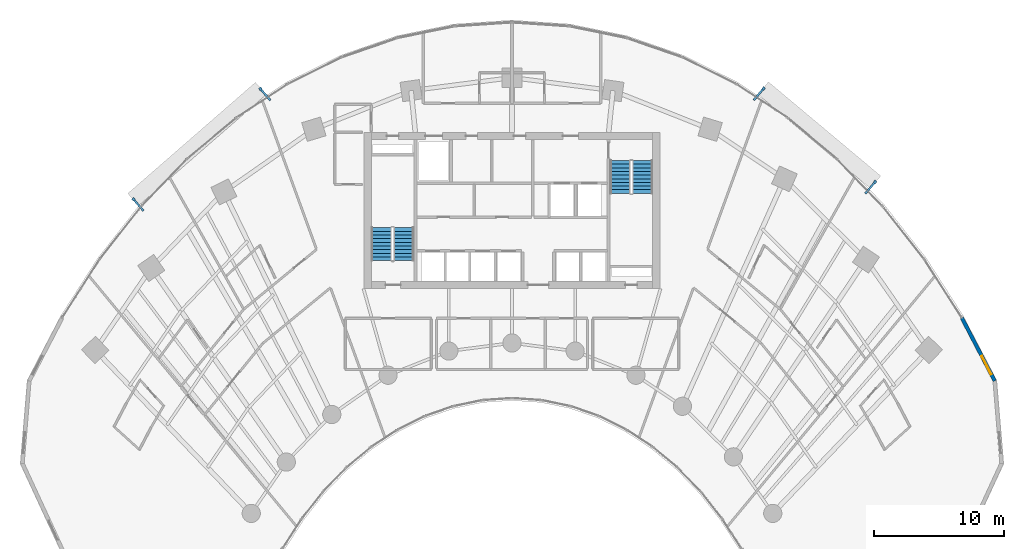
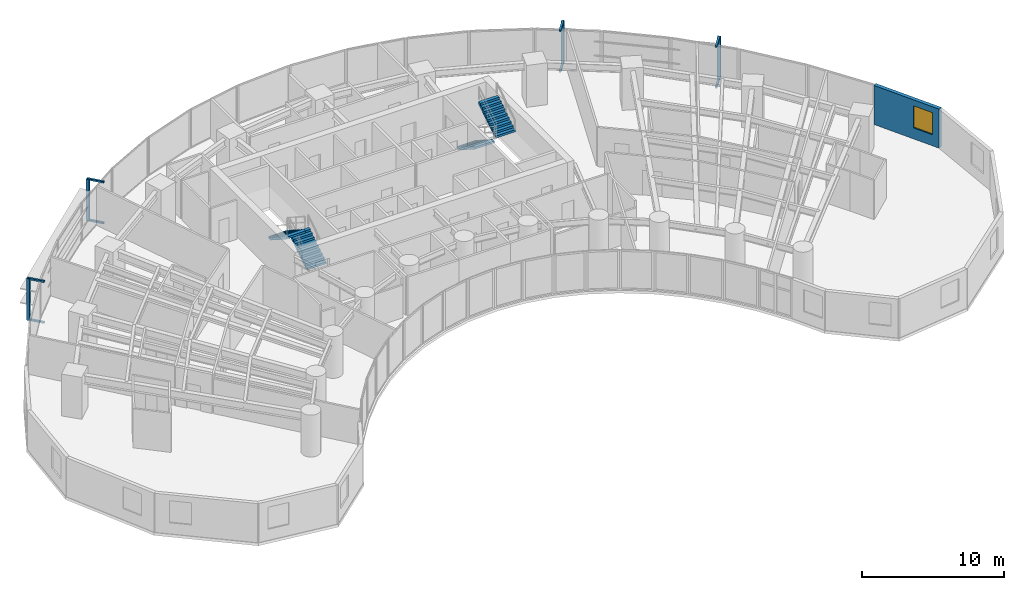
# One storey, part 15 of 17: 12 discrete accessories, 4 stair flights, 1 wall, 1 window, 1 opening, 2 elements without a shape of their own.
"""IFC4 building model written with IfcOpenShell, lengths in metres."""

from ifc_helpers import new_model, si_unit, direction, frame, frame_2d, origin, origin_2d, place, context, subcontext, project, spatial, polyline, rectangle, outline, extrude, source, transform, mapped, material, layer, layer_set, type_object, type_shapes, element, fill, aggregate, save


model = new_model("IFC4")

# Units and contexts
model_context = context("Model", 3, precision=1e-05, world=origin(), true_north=direction((0.0, 1.0)))
body_context = subcontext(model_context, "Body", "Model", "MODEL_VIEW")
ifc_project = project(units=[si_unit("LENGTHUNIT", "METRE"), si_unit("AREAUNIT", "SQUARE_METRE"), si_unit("VOLUMEUNIT", "CUBIC_METRE"), si_unit("PLANEANGLEUNIT", "RADIAN"), si_unit("MASSUNIT", "GRAM", prefix="KILO")], contexts=[model_context])

# Site, building, storey
site_placement = place(None, origin())
site = spatial("IfcSite", under=ifc_project, at=site_placement, CompositionType="ELEMENT")
building_placement = place(site_placement, origin())
building = spatial("IfcBuilding", under=site, at=building_placement, Name="Breltana Convention Tower", CompositionType="ELEMENT")
storey_placement = place(building_placement, frame((0.0, 0.0, 46.199951171875)))
storey = spatial("IfcBuildingStorey", under=building, at=storey_placement, Name="L09", CompositionType="ELEMENT", Elevation=46.199951171875)

# Wall, opening, window
ifc_material_1 = material(Name="Limestone Buff Insulated Wall", Category="masonry")
ifc_layer = layer(ifc_material_1, 0.280029296875, Name="Limestone Buff Insulated Wall")
ifc_layer_set = layer_set([ifc_layer], Name="Limestone Buff Insulated Wall")
wall_type = type_object("IfcWallType", Name="WL-EXT-NOSE-280", PredefinedType="SOLIDWALL", material=ifc_layer_set)
shared_shape_1 = source(origin(), body_context, "Body", "SweptSolid", [
    extrude(rectangle(XDim=5.45947265625, YDim=0.280029296875, at=frame_2d((2.729736328125, 0.0))), origin(), (0.0, 0.0, 1.0), 3.360107421875),
])
wall_placement = place(storey_placement, frame((82.531982421875, 57.964599609375, 0.0), z_axis=(0.0, 0.0, 1.0), x_axis=(0.461768054321, -0.887000712518, 0.0)))
wall = element("IfcWall", 1, at=wall_placement, inside=storey, type_object=wall_type, Name="L09 curved limestone nose wall E7", PredefinedType="SOLIDWALL", context=body_context, shape_type="MappedRepresentation", body=[
    mapped(shared_shape_1, transform((0.0, 0.0, 0.0), scale=1.0)),
])
opening_placement = place(wall_placement, frame((3.294677734375, 0.0, 0.949951171875)))
opening = element("IfcOpeningElement", 2, at=opening_placement, cuts=wall, Name="Opening W-04", PredefinedType="OPENING", context=body_context, shape_type="SweptSolid", body=[
    extrude(rectangle(XDim=1.60009765625, YDim=1.89990234375, at=frame_2d((0.800048828125, 0.949951171875))), frame((0.0, 0.14990234375, 0.0), z_axis=(0.0, -1.0, 0.0), x_axis=(1.0, 0.0, 0.0)), (0.0, 0.0, 1.0), 0.300048828125),
])
ifc_material_2 = material(Name="Glass Low-E Insulated Window", Category="glass")
window_type = type_object("IfcWindowType", Name="WN-NOSE-1600X1900", PartitioningType="SINGLE_PANEL", PredefinedType="WINDOW", material=ifc_material_2)
shared_shape_2 = source(origin(), body_context, "Body", "SweptSolid", [
    extrude(rectangle(XDim=1.60009765625, YDim=1.89990234375, at=frame_2d((0.800048828125, 0.949951171875))), frame((0.0, 0.030029296875, 0.0), z_axis=(0.0, -1.0, 0.0), x_axis=(1.0, 0.0, 0.0)), (0.0, 0.0, 1.0), 0.06005859375),
])
type_shapes(window_type, [shared_shape_2])
window_placement = place(opening_placement, origin())
window = element("IfcWindow", 3, at=window_placement, inside=storey, type_object=window_type, Name="L09 nose window E7", OverallHeight=1.89990234375, OverallWidth=1.60009765625, PartitioningType="SINGLE_PANEL", PredefinedType="WINDOW", context=body_context, shape_type="MappedRepresentation", body=[
    mapped(shared_shape_2, transform((0.0, 0.0, 0.0), scale=1.0)),
])
fill(opening, window)

# Stair, stair flights
ifc_material_3 = material(Name="Concrete C40/50", Category="concrete")
stair_type = type_object("IfcStairType", Name="ST-DOG-1560-R180", PredefinedType="HALF_TURN_STAIR", material=ifc_material_3)
stair_1_placement = place(storey_placement, origin())
stair_1 = element("IfcStair", 4, at=stair_1_placement, inside=storey, type_object=stair_type, Name="L09 Protected Core Exit Stair ST-1", PredefinedType="HALF_TURN_STAIR")
stair_flight_type = type_object("IfcStairFlightType", Name="STF-DOG-1560-N10-R180", PredefinedType="STRAIGHT", material=ifc_material_3)
stair_flight_1_placement = place(storey_placement, frame((39.68994140625, 62.360107421875, 0.0), z_axis=(0.0, 0.0, 1.0), x_axis=(0.0, 1.0, 0.0)))
stair_flight_1 = element("IfcStairFlight", 5, at=stair_flight_1_placement, type_object=stair_flight_type, Name="ST-1 flight 1", NumberOfRisers=10, NumberOfTreads=9, PredefinedType="STRAIGHT", RiserHeight=0.18, TreadLength=0.28, context=body_context, shape_type="SweptSolid", body=[
    extrude(outline(polyline([(0.0, 0.0), (0.0, 0.179931640625), (0.280029296875, 0.179931640625), (0.280029296875, 0.360107421875), (0.56005859375, 0.360107421875), (0.56005859375, 0.5400390625), (0.840087890625, 0.5400390625), (0.840087890625, 0.719970703125), (1.1201171875, 0.719970703125), (1.1201171875, 0.89990234375), (1.39990234375, 0.89990234375), (1.39990234375, 1.080078125), (1.679931640625, 1.080078125), (1.679931640625, 1.260009765625), (1.9599609375, 1.260009765625), (1.9599609375, 1.43994140625), (2.239990234375, 1.43994140625), (2.239990234375, 1.6201171875), (2.52001953125, 1.6201171875), (2.52001953125, 1.800048828125), (2.52001953125, 1.44189453125), (0.277099609375, 0.0), (0.0, 0.0)])), frame((0.0, 0.780029296875, 0.0), z_axis=(0.0, -1.0, 0.0), x_axis=(1.0, 0.0, 0.0)), (0.0, 0.0, 1.0), 1.56005859375),
])
stair_flight_2_placement = place(storey_placement, frame((37.97998046875, 64.8798828125, 1.800048828125), z_axis=(0.0, 0.0, 1.0), x_axis=(0.0, -1.0, 0.0)))
stair_flight_2 = element("IfcStairFlight", 6, at=stair_flight_2_placement, type_object=stair_flight_type, Name="ST-1 flight 2", NumberOfRisers=10, NumberOfTreads=9, PredefinedType="STRAIGHT", RiserHeight=0.18, TreadLength=0.28, context=body_context, shape_type="SweptSolid", body=[
    extrude(outline(polyline([(0.0, 0.0), (0.0, 0.179931640625), (0.280029296875, 0.179931640625), (0.280029296875, 0.360107421875), (0.56005859375, 0.360107421875), (0.56005859375, 0.5400390625), (0.840087890625, 0.5400390625), (0.840087890625, 0.719970703125), (1.1201171875, 0.719970703125), (1.1201171875, 0.89990234375), (1.39990234375, 0.89990234375), (1.39990234375, 1.080078125), (1.679931640625, 1.080078125), (1.679931640625, 1.260009765625), (1.9599609375, 1.260009765625), (1.9599609375, 1.43994140625), (2.239990234375, 1.43994140625), (2.239990234375, 1.6201171875), (2.52001953125, 1.6201171875), (2.52001953125, 1.800048828125), (2.52001953125, 1.44189453125), (0.277099609375, 0.0), (0.0, 0.0)])), frame((0.0, 0.780029296875, 0.0), z_axis=(0.0, -1.0, 0.0), x_axis=(1.0, 0.0, 0.0)), (0.0, 0.0, 1.0), 1.56005859375),
])
aggregate(stair_1, [stair_flight_1, stair_flight_2])

stair_2_placement = place(storey_placement, origin())
stair_2 = element("IfcStair", 7, at=stair_2_placement, inside=storey, type_object=stair_type, Name="L09 Protected Core Exit Stair ST-2", PredefinedType="HALF_TURN_STAIR")
stair_flight_3_placement = place(storey_placement, frame((56.31005859375, 70.0400390625, 0.0), z_axis=(0.0, 0.0, 1.0), x_axis=(0.0, -1.0, 0.0)))
stair_flight_3 = element("IfcStairFlight", 8, at=stair_flight_3_placement, type_object=stair_flight_type, Name="ST-2 flight 1", NumberOfRisers=10, NumberOfTreads=9, PredefinedType="STRAIGHT", RiserHeight=0.18, TreadLength=0.28, context=body_context, shape_type="SweptSolid", body=[
    extrude(outline(polyline([(0.0, 0.0), (0.0, 0.179931640625), (0.280029296875, 0.179931640625), (0.280029296875, 0.360107421875), (0.56005859375, 0.360107421875), (0.56005859375, 0.5400390625), (0.840087890625, 0.5400390625), (0.840087890625, 0.719970703125), (1.1201171875, 0.719970703125), (1.1201171875, 0.89990234375), (1.39990234375, 0.89990234375), (1.39990234375, 1.080078125), (1.679931640625, 1.080078125), (1.679931640625, 1.260009765625), (1.9599609375, 1.260009765625), (1.9599609375, 1.43994140625), (2.239990234375, 1.43994140625), (2.239990234375, 1.6201171875), (2.52001953125, 1.6201171875), (2.52001953125, 1.800048828125), (2.52001953125, 1.44189453125), (0.277099609375, 0.0), (0.0, 0.0)])), frame((0.0, 0.780029296875, 0.0), z_axis=(0.0, -1.0, 0.0), x_axis=(1.0, 0.0, 0.0)), (0.0, 0.0, 1.0), 1.56005859375),
])
stair_flight_4_placement = place(storey_placement, frame((58.02001953125, 67.52001953125, 1.800048828125), z_axis=(0.0, 0.0, 1.0), x_axis=(0.0, 1.0, 0.0)))
stair_flight_4 = element("IfcStairFlight", 9, at=stair_flight_4_placement, type_object=stair_flight_type, Name="ST-2 flight 2", NumberOfRisers=10, NumberOfTreads=9, PredefinedType="STRAIGHT", RiserHeight=0.18, TreadLength=0.28, context=body_context, shape_type="SweptSolid", body=[
    extrude(outline(polyline([(0.0, 0.0), (0.0, 0.179931640625), (0.280029296875, 0.179931640625), (0.280029296875, 0.360107421875), (0.56005859375, 0.360107421875), (0.56005859375, 0.5400390625), (0.840087890625, 0.5400390625), (0.840087890625, 0.719970703125), (1.1201171875, 0.719970703125), (1.1201171875, 0.89990234375), (1.39990234375, 0.89990234375), (1.39990234375, 1.080078125), (1.679931640625, 1.080078125), (1.679931640625, 1.260009765625), (1.9599609375, 1.260009765625), (1.9599609375, 1.43994140625), (2.239990234375, 1.43994140625), (2.239990234375, 1.6201171875), (2.52001953125, 1.6201171875), (2.52001953125, 1.800048828125), (2.52001953125, 1.44189453125), (0.277099609375, 0.0), (0.0, 0.0)])), frame((0.0, 0.780029296875, 0.0), z_axis=(0.0, -1.0, 0.0), x_axis=(1.0, 0.0, 0.0)), (0.0, 0.0, 1.0), 1.56005859375),
])
aggregate(stair_2, [stair_flight_3, stair_flight_4])

# Discrete accessories
ifc_material_4 = material(Name="Steel S355", Category="steel")
discrete_accessory_type_1 = type_object("IfcDiscreteAccessoryType", Name="ACC-DSF-BRACKET-150", PredefinedType="BRACKET", material=ifc_material_4)
shared_shape_3 = source(origin(), body_context, "Body", "SweptSolid", [
    extrude(rectangle(XDim=1.239990234375, YDim=0.14990234375, at=origin_2d()), origin(), (0.0, 0.0, 1.0), 0.139892578125),
])
type_shapes(discrete_accessory_type_1, [shared_shape_3])
for number, where, z_axis, x_axis, name in (
    (10, (19.310791015625, 66.643798828125, -0.15966796875), (0.0, 0.0, 1.0), (-0.656456838663, 0.754363585397, 0.0), "L09 double-skin slab stand-off bracket 1.1B"),
    (11, (19.310791015625, 66.643798828125, 3.35986328125), (0.0, 0.0, 1.0), (-0.656456838663, 0.754363585397, 0.0), "L09 double-skin slab stand-off bracket 1.1T"),
    (12, (29.052978515625, 75.121337890625, -0.15966796875), (0.0, 0.0, 1.0), (-0.656456838663, 0.754363585397, 0.0), "L09 double-skin slab stand-off bracket 1.2B"),
    (13, (29.052978515625, 75.121337890625, 3.35986328125), (0.0, 0.0, 1.0), (-0.656456838663, 0.754363585397, 0.0), "L09 double-skin slab stand-off bracket 1.2T"),
    (14, (66.954833984375, 75.1435546875, -0.15966796875), (0.0, 0.0, 1.0), (0.641990162706, 0.76671287389, 0.0), "L09 double-skin slab stand-off bracket 2.1B"),
    (15, (66.954833984375, 75.1435546875, 3.35986328125), (0.0, 0.0, 1.0), (0.641990162706, 0.76671287389, 0.0), "L09 double-skin slab stand-off bracket 2.1T"),
    (16, (75.516357421875, 67.974853515625, -0.15966796875), (0.0, 0.0, 1.0), (0.641990162706, 0.76671287389, 0.0), "L09 double-skin slab stand-off bracket 2.2B"),
    (17, (75.516357421875, 67.974853515625, 3.35986328125), (0.0, 0.0, 1.0), (0.641990162706, 0.76671287389, 0.0), "L09 double-skin slab stand-off bracket 2.2T"),
):
    element("IfcDiscreteAccessory", number, at=place(storey_placement, frame(where, z_axis=z_axis, x_axis=x_axis)), inside=storey, type_object=discrete_accessory_type_1, Name=name, PredefinedType="BRACKET", context=body_context, shape_type="MappedRepresentation", body=[
        mapped(shared_shape_3, transform((0.0, 0.0, 0.0), scale=1.0)),
    ])
discrete_accessory_type_2 = type_object("IfcDiscreteAccessoryType", Name="ACC-DSF-CARRIER-150", PredefinedType="BRACKET", material=ifc_material_4)
shared_shape_4 = source(origin(), body_context, "Body", "SweptSolid", [
    extrude(rectangle(XDim=0.219970703125, YDim=0.219970703125, at=origin_2d()), origin(), (0.0, 0.0, 1.0), 3.580078125),
])
for number, where, z_axis, x_axis, name in (
    (18, (18.943115234375, 67.066162109375, -0.119873046875), (0.0, 0.0, 1.0), (-0.656456838663, 0.754363585397, 0.0), "L09 double-skin outer vertical carrier 1.1"),
    (19, (28.685302734375, 75.5439453125, -0.119873046875), (0.0, 0.0, 1.0), (-0.656456838663, 0.754363585397, 0.0), "L09 double-skin outer vertical carrier 1.2"),
    (20, (67.314453125, 75.57275390625, -0.119873046875), (0.0, 0.0, 1.0), (0.641990162706, 0.76671287389, 0.0), "L09 double-skin outer vertical carrier 2.1"),
    (21, (75.875732421875, 68.404052734375, -0.119873046875), (0.0, 0.0, 1.0), (0.641990162706, 0.76671287389, 0.0), "L09 double-skin outer vertical carrier 2.2"),
):
    element("IfcDiscreteAccessory", number, at=place(storey_placement, frame(where, z_axis=z_axis, x_axis=x_axis)), inside=storey, type_object=discrete_accessory_type_2, Name=name, PredefinedType="BRACKET", context=body_context, shape_type="MappedRepresentation", body=[
        mapped(shared_shape_4, transform((0.0, 0.0, 0.0), scale=1.0)),
    ])

save(model, "model.ifc")
